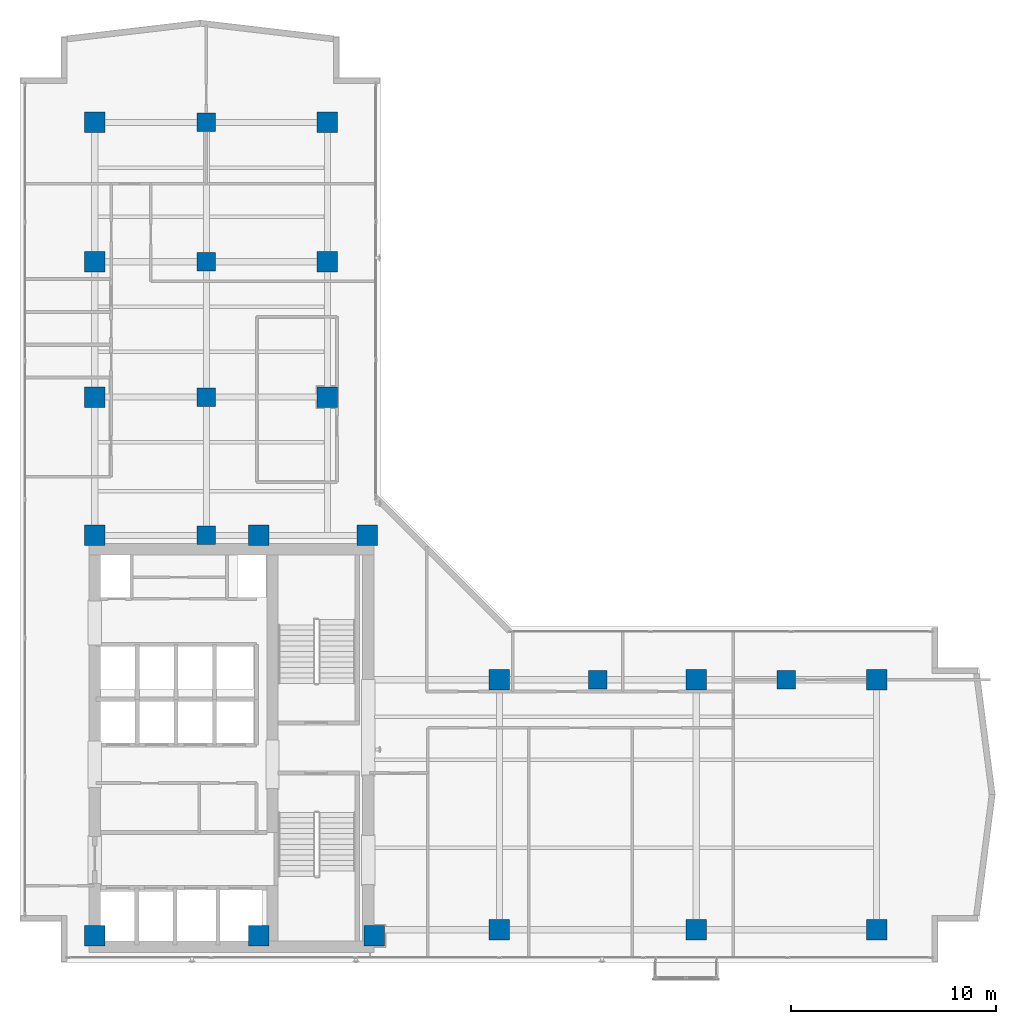
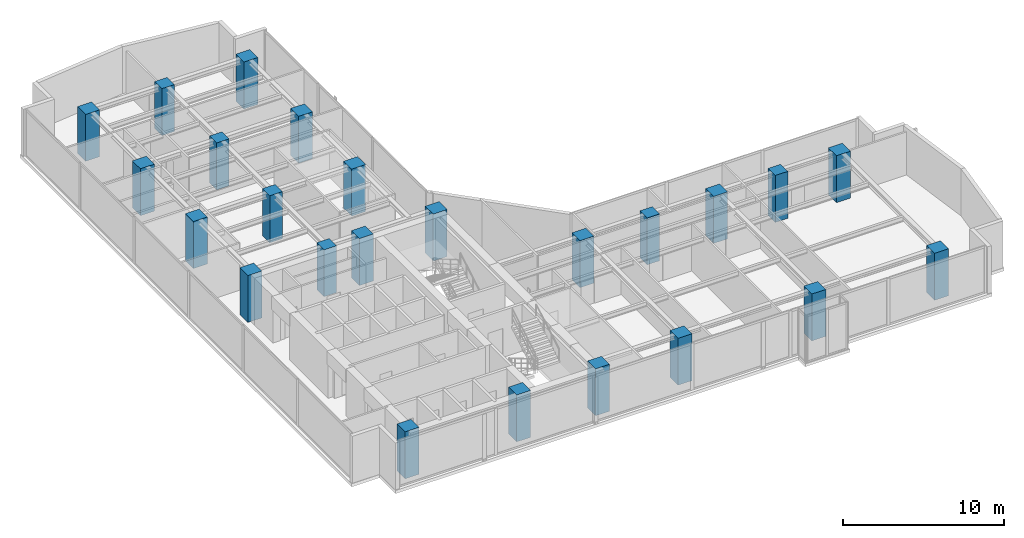
# One storey, part 1 of 24: 24 columns.
"""IFC4 building model written with IfcOpenShell, lengths in metres."""

from ifc_helpers import new_model, si_unit, direction, frame, origin, origin_2d, place, context, subcontext, project, spatial, rectangle, extrude, material, material_profile, profile_set, type_object, element, save


model = new_model("IFC4")

# Units and contexts
model_context = context("Model", 3, precision=1e-05, world=origin(), true_north=direction((0.0, 1.0)))
body_context = subcontext(model_context, "Body", "Model", "MODEL_VIEW")
ifc_project = project(units=[si_unit("LENGTHUNIT", "METRE"), si_unit("AREAUNIT", "SQUARE_METRE"), si_unit("VOLUMEUNIT", "CUBIC_METRE"), si_unit("PLANEANGLEUNIT", "RADIAN"), si_unit("MASSUNIT", "GRAM", prefix="KILO")], contexts=[model_context])

# Site, building, storey
site_placement = place(None, origin())
site = spatial("IfcSite", under=ifc_project, at=site_placement, CompositionType="ELEMENT")
building_placement = place(site_placement, origin())
building = spatial("IfcBuilding", under=site, at=building_placement, Name="Kolvaren Waterfront Exchange", CompositionType="ELEMENT")
storey_placement = place(building_placement, frame((0.0, 0.0, 208.300048828125)))
storey = spatial("IfcBuildingStorey", under=building, at=storey_placement, Name="L53", CompositionType="ELEMENT", Elevation=208.300048828125)

# Columns
ifc_material = material(Name="Concrete C50/60", Category="concrete")
ifc_material_profile_1 = material_profile(ifc_material, rectangle(XDim=1.0, YDim=1.0, at=origin_2d()), Name="RC-COL-1000x1000")
ifc_profile_set_1 = profile_set([ifc_material_profile_1], Name="Concrete C50/60")
column_type_1 = type_object("IfcColumnType", Name="STR-COL-1000-C50", PredefinedType="COLUMN", material=ifc_profile_set_1)
for number, where, z_axis, x_axis, name in (
    (1, (7.449951171875, 4.89990234375, 0.0), (0.0, 0.0, 1.0), (1.0, 0.0, 0.0), "L53 column MC01"),
    (2, (15.449951171875, 4.89990234375, 0.0), (0.0, 0.0, 1.0), (1.0, 0.0, 0.0), "L53 column MC02"),
    (3, (21.10009765625, 4.89990234375, 0.0), (0.0, 0.0, 1.0), (1.0, 0.0, 0.0), "L53 column MC03"),
    (4, (7.449951171875, 24.449951171875, 0.0), (0.0, 0.0, 1.0), (1.0, 0.0, 0.0), "L53 column MC04"),
    (5, (15.449951171875, 24.449951171875, 0.0), (0.0, 0.0, 1.0), (1.0, 0.0, 0.0), "L53 column MC05"),
    (6, (20.75, 24.449951171875, 0.0), (0.0, 0.0, 1.0), (1.0, 0.0, 0.0), "L53 column MC06"),
    (7, (7.449951171875, 31.199951171875, 0.0), (0.0, 0.0, 1.0), (1.0, 0.0, 0.0), "L53 column NC01"),
    (8, (7.449951171875, 37.800048828125, 0.0), (0.0, 0.0, 1.0), (1.0, 0.0, 0.0), "L53 column NC02"),
    (9, (7.449951171875, 44.60009765625, 0.0), (0.0, 0.0, 1.0), (1.0, 0.0, 0.0), "L53 column NC03"),
    (10, (18.800048828125, 31.199951171875, 0.0), (0.0, 0.0, 1.0), (1.0, 0.0, 0.0), "L53 column NC04"),
    (11, (18.800048828125, 37.800048828125, 0.0), (0.0, 0.0, 1.0), (1.0, 0.0, 0.0), "L53 column NC05"),
    (12, (18.800048828125, 44.60009765625, 0.0), (0.0, 0.0, 1.0), (1.0, 0.0, 0.0), "L53 column NC06"),
    (13, (27.199951171875, 5.199951171875, 0.0), (0.0, 0.0, 1.0), (1.0, 0.0, 0.0), "L53 column EC01"),
    (14, (36.800048828125, 5.199951171875, 0.0), (0.0, 0.0, 1.0), (1.0, 0.0, 0.0), "L53 column EC02"),
    (15, (45.60009765625, 5.199951171875, 0.0), (0.0, 0.0, 1.0), (1.0, 0.0, 0.0), "L53 column EC03"),
    (16, (27.199951171875, 17.39990234375, 0.0), (0.0, 0.0, 1.0), (1.0, 0.0, 0.0), "L53 column EC04"),
    (17, (36.800048828125, 17.39990234375, 0.0), (0.0, 0.0, 1.0), (1.0, 0.0, 0.0), "L53 column EC05"),
    (18, (45.60009765625, 17.39990234375, 0.0), (0.0, 0.0, 1.0), (1.0, 0.0, 0.0), "L53 column EC06"),
):
    element("IfcColumn", number, at=place(storey_placement, frame(where, z_axis=z_axis, x_axis=x_axis)), inside=storey, type_object=column_type_1, Name=name, PredefinedType="COLUMN", context=body_context, shape_type="SweptSolid", body=[
        extrude(rectangle(XDim=1.0, YDim=1.0, at=origin_2d()), origin(), (0.0, 0.0, 1.0), 3.56005859375),
    ])
ifc_material_profile_2 = material_profile(ifc_material, rectangle(XDim=0.89990234375, YDim=0.89990234375, at=origin_2d()), Name="RC-COL-900x900")
ifc_profile_set_2 = profile_set([ifc_material_profile_2], Name="Concrete C50/60")
column_type_2 = type_object("IfcColumnType", Name="STR-COL-900-C50", PredefinedType="COLUMN", material=ifc_profile_set_2)
for number, where, z_axis, x_axis, name in (
    (19, (12.89990234375, 24.449951171875, 0.0), (0.0, 0.0, 1.0), (1.0, 0.0, 0.0), "L53 column TC01"),
    (20, (12.89990234375, 31.199951171875, 0.0), (0.0, 0.0, 1.0), (1.0, 0.0, 0.0), "L53 column TC02"),
    (21, (12.89990234375, 37.800048828125, 0.0), (0.0, 0.0, 1.0), (1.0, 0.0, 0.0), "L53 column TC03"),
    (22, (12.89990234375, 44.60009765625, 0.0), (0.0, 0.0, 1.0), (1.0, 0.0, 0.0), "L53 column TC04"),
    (23, (32.0, 17.39990234375, 0.0), (0.0, 0.0, 1.0), (1.0, 0.0, 0.0), "L53 column TC05"),
    (24, (41.199951171875, 17.39990234375, 0.0), (0.0, 0.0, 1.0), (1.0, 0.0, 0.0), "L53 column TC06"),
):
    element("IfcColumn", number, at=place(storey_placement, frame(where, z_axis=z_axis, x_axis=x_axis)), inside=storey, type_object=column_type_2, Name=name, PredefinedType="COLUMN", context=body_context, shape_type="SweptSolid", body=[
        extrude(rectangle(XDim=0.89990234375, YDim=0.89990234375, at=origin_2d()), origin(), (0.0, 0.0, 1.0), 3.56005859375),
    ])

save(model, "model.ifc")
